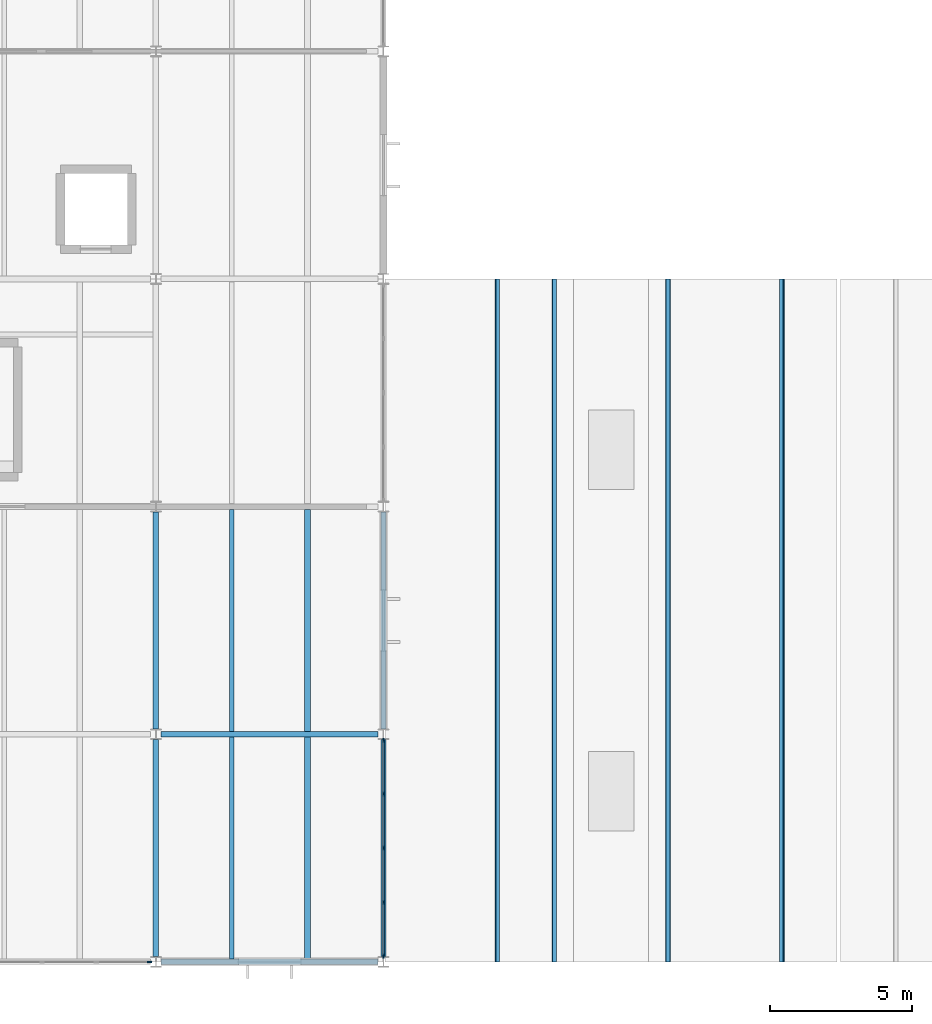
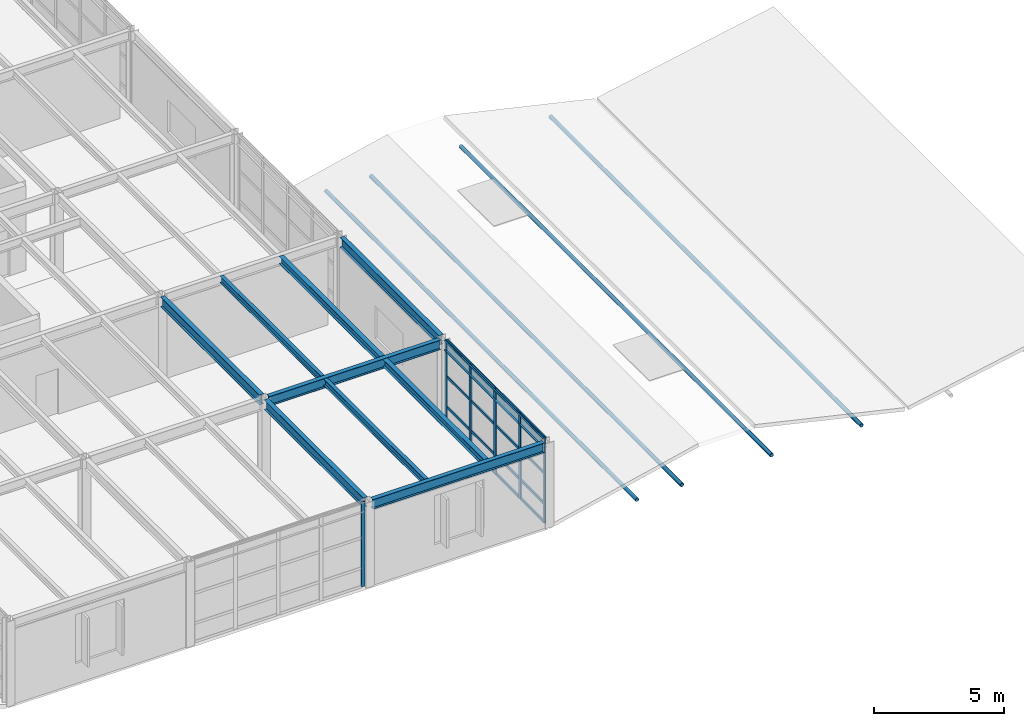
# One storey, part 27 of 50: 26 members, 10 beams, 2 elements without a shape of their own.
"""IFC4 building model written with IfcOpenShell, lengths in metres."""

from ifc_helpers import new_model, si_unit, direction, frame, origin, origin_2d, place, context, subcontext, project, spatial, rectangle, hollow_circle, i_section, extrude, material, layer, layer_set, material_profile, profile_set, type_object, element, aggregate, save


model = new_model("IFC4")

# Units and contexts
model_context = context("Model", 3, precision=1e-05, world=origin(), true_north=direction((0.0, 1.0)))
body_context = subcontext(model_context, "Body", "Model", "MODEL_VIEW")
ifc_project = project(units=[si_unit("LENGTHUNIT", "METRE"), si_unit("AREAUNIT", "SQUARE_METRE"), si_unit("VOLUMEUNIT", "CUBIC_METRE"), si_unit("PLANEANGLEUNIT", "RADIAN"), si_unit("MASSUNIT", "GRAM", prefix="KILO")], contexts=[model_context])

# Site, building, storey
site_placement = place(None, origin())
site = spatial("IfcSite", under=ifc_project, at=site_placement, CompositionType="ELEMENT")
building_placement = place(site_placement, origin())
building = spatial("IfcBuilding", under=site, at=building_placement, Name="Varnela Railside Interchange", CompositionType="ELEMENT")
storey_placement = place(building_placement, frame((0.0, 0.0, 15.39990234375)))
storey = spatial("IfcBuildingStorey", under=building, at=storey_placement, Name="L03", CompositionType="ELEMENT", Elevation=15.39990234375)

# Beams
ifc_material_1 = material(Name="Steel AR 350 (350 MPa)", Category="steel")
ifc_material_profile_1 = material_profile(ifc_material_1, i_section(OverallWidth=0.1650390625, OverallDepth=0.31005859375, WebThickness=0.005859375, FlangeThickness=0.009765625, at=origin_2d()), Name="W310x38.7")
ifc_profile_set_1 = profile_set([ifc_material_profile_1], Name="Steel AR 350 (350 MPa)")
beam_type_1 = type_object("IfcBeamType", Name="Composite Floor Joist J-04", PredefinedType="JOIST", material=ifc_profile_set_1)
for number, where, z_axis, x_axis, name in (
    (1, (134.669921875, 38.1044921875, 3.84521484375), (0.0, 1.0, 0.0), (-1.0, 0.0, 0.0), "Composite Floor Joist J-04 (L03) (BM-2157)"),
    (2, (134.669921875, 46.1044921875, 3.84521484375), (0.0, 1.0, 0.0), (-1.0, 0.0, 0.0), "Composite Floor Joist J-04 (L03) (BM-2159)"),
):
    element("IfcBeam", number, at=place(storey_placement, frame(where, z_axis=z_axis, x_axis=x_axis)), inside=storey, type_object=beam_type_1, Name=name, PredefinedType="JOIST", context=body_context, shape_type="SweptSolid", body=[
        extrude(i_section(OverallWidth=0.1650390625, OverallDepth=0.31005859375, WebThickness=0.005859375, FlangeThickness=0.009765625, at=origin_2d()), origin(), (0.0, 0.0, 1.0), 7.791015625),
    ])
ifc_material_profile_2 = material_profile(ifc_material_1, i_section(OverallWidth=0.202880859375, OverallDepth=0.346923828125, WebThickness=0.0078125, FlangeThickness=0.013427734375, at=origin_2d()), Name="W360x64")
ifc_profile_set_2 = profile_set([ifc_material_profile_2], Name="Steel AR 350 (350 MPa)")
beam_type_2 = type_object("IfcBeamType", Name="Composite Heavy Joist J-01", PredefinedType="JOIST", material=ifc_profile_set_2)
for number, where, z_axis, x_axis, name in (
    (3, (137.330078125, 38.1044921875, 3.82666015625), (0.0, 1.0, 0.0), (-1.0, 0.0, 0.0), "Composite Heavy Joist J-01 (L03) (BM-2158)"),
    (4, (137.330078125, 46.1044921875, 3.82666015625), (0.0, 1.0, 0.0), (-1.0, 0.0, 0.0), "Composite Heavy Joist J-01 (L03) (BM-2160)"),
):
    element("IfcBeam", number, at=place(storey_placement, frame(where, z_axis=z_axis, x_axis=x_axis)), inside=storey, type_object=beam_type_2, Name=name, PredefinedType="JOIST", context=body_context, shape_type="SweptSolid", body=[
        extrude(i_section(OverallWidth=0.202880859375, OverallDepth=0.346923828125, WebThickness=0.0078125, FlangeThickness=0.013427734375, at=origin_2d()), origin(), (0.0, 0.0, 1.0), 7.791015625),
    ])
ifc_material_profile_3 = material_profile(ifc_material_1, i_section(OverallWidth=0.194091796875, OverallDepth=0.468994140625, WebThickness=0.0126953125, FlangeThickness=0.0205078125, at=origin_2d()), Name="W460x106")
ifc_profile_set_3 = profile_set([ifc_material_profile_3], Name="Steel AR 350 (350 MPa)")
beam_type_3 = type_object("IfcBeamType", Name="Composite Primary Beam B-19", PredefinedType="BEAM", material=ifc_profile_set_3)
beam_placement = place(storey_placement, frame((132.0, 46.18408203125, 3.765625), z_axis=(0.0, 1.0, 0.0), x_axis=(-1.0, 0.0, 0.0)))
element("IfcBeam", 5, at=beam_placement, inside=storey, type_object=beam_type_3, Name="Composite Primary Beam B-19 (L03) (BM-2290)", PredefinedType="BEAM", context=body_context, shape_type="SweptSolid", body=[
    extrude(i_section(OverallWidth=0.194091796875, OverallDepth=0.468994140625, WebThickness=0.0126953125, FlangeThickness=0.0205078125, at=origin_2d()), origin(), (0.0, 0.0, 1.0), 7.6318359375),
])

# Curtain wall, member
ifc_material_2 = material(Name="Aluminium 6063-T6", Category="aluminium")
ifc_layer = layer(ifc_material_2, 0.035888671875)
ifc_layer_set = layer_set([ifc_layer], Name="Aluminium 6063-T6")
curtain_wall_type = type_object("IfcCurtainWallType", Name="Study Pavilion Gallery Curtain Wall CW-02", PredefinedType="USERDEFINED", material=ifc_layer_set)
curtain_wall_1_placement = place(storey_placement, origin())
curtain_wall_1 = element("IfcCurtainWall", 6, at=curtain_wall_1_placement, inside=storey, type_object=curtain_wall_type, Name="Curtain Wall CW-02 (L03) (CW-088)", ObjectType="CURTAIN WALL", PredefinedType="USERDEFINED")
ifc_material_profile_4 = material_profile(ifc_material_2, rectangle(XDim=0.06005859375, YDim=0.159912109375, at=origin_2d()), Name="ALU 60x160")
ifc_profile_set_4 = profile_set([ifc_material_profile_4], Name="Aluminium 6063-T6")
member_type_1 = type_object("IfcMemberType", Name="Curtain Wall Mullion ML-02", PredefinedType="MULLION", material=ifc_profile_set_4)
member_1_placement = place(storey_placement, frame((131.783447265625, 38.0, 0.0), z_axis=(0.0, 0.0, 1.0), x_axis=(0.0, -1.0, 0.0)))
member_1 = element("IfcMember", 7, at=member_1_placement, type_object=member_type_1, Name="CW-02 mullion 1", PredefinedType="MULLION", context=body_context, shape_type="SweptSolid", body=[
    extrude(rectangle(XDim=0.06005859375, YDim=0.159912109375, at=origin_2d()), origin(), (0.0, 0.0, 1.0), 4.0),
])
aggregate(curtain_wall_1, [member_1])

# Curtain wall, members
curtain_wall_2_placement = place(storey_placement, origin())
curtain_wall_2 = element("IfcCurtainWall", 8, at=curtain_wall_2_placement, inside=storey, type_object=curtain_wall_type, Name="Curtain Wall CW-02 (L03) (CW-098)", ObjectType="CURTAIN WALL", PredefinedType="USERDEFINED")
member_2_placement = place(storey_placement, frame((140.0, 45.785888671875, 0.0), z_axis=(0.0, 0.0, 1.0), x_axis=(1.0, 0.0, 0.0)))
member_2 = element("IfcMember", 9, at=member_2_placement, type_object=member_type_1, Name="CW-02 mullion 1", PredefinedType="MULLION", context=body_context, shape_type="SweptSolid", body=[
    extrude(rectangle(XDim=0.06005859375, YDim=0.159912109375, at=origin_2d()), origin(), (0.0, 0.0, 1.0), 4.0),
])
member_3_placement = place(storey_placement, frame((140.0, 43.907958984375, 0.0), z_axis=(0.0, 0.0, 1.0), x_axis=(1.0, 0.0, 0.0)))
member_3 = element("IfcMember", 10, at=member_3_placement, type_object=member_type_1, Name="CW-02 mullion 2", PredefinedType="MULLION", context=body_context, shape_type="SweptSolid", body=[
    extrude(rectangle(XDim=0.06005859375, YDim=0.159912109375, at=origin_2d()), origin(), (0.0, 0.0, 1.0), 4.0),
])
member_4_placement = place(storey_placement, frame((140.0, 42.0, 0.0), z_axis=(0.0, 0.0, 1.0), x_axis=(1.0, 0.0, 0.0)))
member_4 = element("IfcMember", 11, at=member_4_placement, type_object=member_type_1, Name="CW-02 mullion 3", PredefinedType="MULLION", context=body_context, shape_type="SweptSolid", body=[
    extrude(rectangle(XDim=0.06005859375, YDim=0.159912109375, at=origin_2d()), origin(), (0.0, 0.0, 1.0), 4.0),
])
member_5_placement = place(storey_placement, frame((140.0, 40.092041015625, 0.0), z_axis=(0.0, 0.0, 1.0), x_axis=(1.0, 0.0, 0.0)))
member_5 = element("IfcMember", 12, at=member_5_placement, type_object=member_type_1, Name="CW-02 mullion 4", PredefinedType="MULLION", context=body_context, shape_type="SweptSolid", body=[
    extrude(rectangle(XDim=0.06005859375, YDim=0.159912109375, at=origin_2d()), origin(), (0.0, 0.0, 1.0), 4.0),
])
member_6_placement = place(storey_placement, frame((140.0, 38.214111328125, 0.0), z_axis=(0.0, 0.0, 1.0), x_axis=(1.0, 0.0, 0.0)))
member_6 = element("IfcMember", 13, at=member_6_placement, type_object=member_type_1, Name="CW-02 mullion 5", PredefinedType="MULLION", context=body_context, shape_type="SweptSolid", body=[
    extrude(rectangle(XDim=0.06005859375, YDim=0.159912109375, at=origin_2d()), origin(), (0.0, 0.0, 1.0), 4.0),
])
ifc_material_profile_5 = material_profile(ifc_material_2, rectangle(XDim=0.06005859375, YDim=0.1201171875, at=origin_2d()), Name="ALU 60x120")
ifc_profile_set_5 = profile_set([ifc_material_profile_5], Name="Aluminium 6063-T6")
member_type_2 = type_object("IfcMemberType", Name="Curtain Wall Transom TR-02", PredefinedType="USERDEFINED", material=ifc_profile_set_5)
member_7_placement = place(storey_placement, frame((140.0, 45.756103515625, 0.030029296875), z_axis=(0.0, -1.0, 0.0), x_axis=(1.0, 0.0, 0.0)))
member_7 = element("IfcMember", 14, at=member_7_placement, type_object=member_type_2, Name="CW-02 transom 1.1", ObjectType="TRANSOM", PredefinedType="USERDEFINED", context=body_context, shape_type="SweptSolid", body=[
    extrude(rectangle(XDim=0.06005859375, YDim=0.1201171875, at=origin_2d()), origin(), (0.0, 0.0, 1.0), 1.818115234375),
])
member_8_placement = place(storey_placement, frame((140.0, 45.756103515625, 0.900146484375), z_axis=(0.0, -1.0, 0.0), x_axis=(1.0, 0.0, 0.0)))
member_8 = element("IfcMember", 15, at=member_8_placement, type_object=member_type_2, Name="CW-02 transom 1.2", ObjectType="TRANSOM", PredefinedType="USERDEFINED", context=body_context, shape_type="SweptSolid", body=[
    extrude(rectangle(XDim=0.06005859375, YDim=0.1201171875, at=origin_2d()), origin(), (0.0, 0.0, 1.0), 1.818115234375),
])
member_9_placement = place(storey_placement, frame((140.0, 45.756103515625, 2.320068359375), z_axis=(0.0, -1.0, 0.0), x_axis=(1.0, 0.0, 0.0)))
member_9 = element("IfcMember", 16, at=member_9_placement, type_object=member_type_2, Name="CW-02 transom 1.3", ObjectType="TRANSOM", PredefinedType="USERDEFINED", context=body_context, shape_type="SweptSolid", body=[
    extrude(rectangle(XDim=0.06005859375, YDim=0.1201171875, at=origin_2d()), origin(), (0.0, 0.0, 1.0), 1.818115234375),
])
member_10_placement = place(storey_placement, frame((140.0, 45.756103515625, 3.97021484375), z_axis=(0.0, -1.0, 0.0), x_axis=(1.0, 0.0, 0.0)))
member_10 = element("IfcMember", 17, at=member_10_placement, type_object=member_type_2, Name="CW-02 transom 1.4", ObjectType="TRANSOM", PredefinedType="USERDEFINED", context=body_context, shape_type="SweptSolid", body=[
    extrude(rectangle(XDim=0.06005859375, YDim=0.1201171875, at=origin_2d()), origin(), (0.0, 0.0, 1.0), 1.818115234375),
])
member_11_placement = place(storey_placement, frame((140.0, 43.8779296875, 0.030029296875), z_axis=(0.0, -1.0, 0.0), x_axis=(1.0, 0.0, 0.0)))
member_11 = element("IfcMember", 18, at=member_11_placement, type_object=member_type_2, Name="CW-02 transom 2.1", ObjectType="TRANSOM", PredefinedType="USERDEFINED", context=body_context, shape_type="SweptSolid", body=[
    extrude(rectangle(XDim=0.06005859375, YDim=0.1201171875, at=origin_2d()), origin(), (0.0, 0.0, 1.0), 1.847900390625),
])
member_12_placement = place(storey_placement, frame((140.0, 43.8779296875, 0.900146484375), z_axis=(0.0, -1.0, 0.0), x_axis=(1.0, 0.0, 0.0)))
member_12 = element("IfcMember", 19, at=member_12_placement, type_object=member_type_2, Name="CW-02 transom 2.2", ObjectType="TRANSOM", PredefinedType="USERDEFINED", context=body_context, shape_type="SweptSolid", body=[
    extrude(rectangle(XDim=0.06005859375, YDim=0.1201171875, at=origin_2d()), origin(), (0.0, 0.0, 1.0), 1.847900390625),
])
member_13_placement = place(storey_placement, frame((140.0, 43.8779296875, 2.320068359375), z_axis=(0.0, -1.0, 0.0), x_axis=(1.0, 0.0, 0.0)))
member_13 = element("IfcMember", 20, at=member_13_placement, type_object=member_type_2, Name="CW-02 transom 2.3", ObjectType="TRANSOM", PredefinedType="USERDEFINED", context=body_context, shape_type="SweptSolid", body=[
    extrude(rectangle(XDim=0.06005859375, YDim=0.1201171875, at=origin_2d()), origin(), (0.0, 0.0, 1.0), 1.847900390625),
])
member_14_placement = place(storey_placement, frame((140.0, 43.8779296875, 3.97021484375), z_axis=(0.0, -1.0, 0.0), x_axis=(1.0, 0.0, 0.0)))
member_14 = element("IfcMember", 21, at=member_14_placement, type_object=member_type_2, Name="CW-02 transom 2.4", ObjectType="TRANSOM", PredefinedType="USERDEFINED", context=body_context, shape_type="SweptSolid", body=[
    extrude(rectangle(XDim=0.06005859375, YDim=0.1201171875, at=origin_2d()), origin(), (0.0, 0.0, 1.0), 1.847900390625),
])
member_15_placement = place(storey_placement, frame((140.0, 41.969970703125, 0.030029296875), z_axis=(0.0, -1.0, 0.0), x_axis=(1.0, 0.0, 0.0)))
member_15 = element("IfcMember", 22, at=member_15_placement, type_object=member_type_2, Name="CW-02 transom 3.1", ObjectType="TRANSOM", PredefinedType="USERDEFINED", context=body_context, shape_type="SweptSolid", body=[
    extrude(rectangle(XDim=0.06005859375, YDim=0.1201171875, at=origin_2d()), origin(), (0.0, 0.0, 1.0), 1.847900390625),
])
member_16_placement = place(storey_placement, frame((140.0, 41.969970703125, 0.900146484375), z_axis=(0.0, -1.0, 0.0), x_axis=(1.0, 0.0, 0.0)))
member_16 = element("IfcMember", 23, at=member_16_placement, type_object=member_type_2, Name="CW-02 transom 3.2", ObjectType="TRANSOM", PredefinedType="USERDEFINED", context=body_context, shape_type="SweptSolid", body=[
    extrude(rectangle(XDim=0.06005859375, YDim=0.1201171875, at=origin_2d()), origin(), (0.0, 0.0, 1.0), 1.847900390625),
])
member_17_placement = place(storey_placement, frame((140.0, 41.969970703125, 2.320068359375), z_axis=(0.0, -1.0, 0.0), x_axis=(1.0, 0.0, 0.0)))
member_17 = element("IfcMember", 24, at=member_17_placement, type_object=member_type_2, Name="CW-02 transom 3.3", ObjectType="TRANSOM", PredefinedType="USERDEFINED", context=body_context, shape_type="SweptSolid", body=[
    extrude(rectangle(XDim=0.06005859375, YDim=0.1201171875, at=origin_2d()), origin(), (0.0, 0.0, 1.0), 1.847900390625),
])
member_18_placement = place(storey_placement, frame((140.0, 41.969970703125, 3.97021484375), z_axis=(0.0, -1.0, 0.0), x_axis=(1.0, 0.0, 0.0)))
member_18 = element("IfcMember", 25, at=member_18_placement, type_object=member_type_2, Name="CW-02 transom 3.4", ObjectType="TRANSOM", PredefinedType="USERDEFINED", context=body_context, shape_type="SweptSolid", body=[
    extrude(rectangle(XDim=0.06005859375, YDim=0.1201171875, at=origin_2d()), origin(), (0.0, 0.0, 1.0), 1.847900390625),
])
member_19_placement = place(storey_placement, frame((140.0, 40.06201171875, 0.030029296875), z_axis=(0.0, -1.0, 0.0), x_axis=(1.0, 0.0, 0.0)))
member_19 = element("IfcMember", 26, at=member_19_placement, type_object=member_type_2, Name="CW-02 transom 4.1", ObjectType="TRANSOM", PredefinedType="USERDEFINED", context=body_context, shape_type="SweptSolid", body=[
    extrude(rectangle(XDim=0.06005859375, YDim=0.1201171875, at=origin_2d()), origin(), (0.0, 0.0, 1.0), 1.818115234375),
])
member_20_placement = place(storey_placement, frame((140.0, 40.06201171875, 0.900146484375), z_axis=(0.0, -1.0, 0.0), x_axis=(1.0, 0.0, 0.0)))
member_20 = element("IfcMember", 27, at=member_20_placement, type_object=member_type_2, Name="CW-02 transom 4.2", ObjectType="TRANSOM", PredefinedType="USERDEFINED", context=body_context, shape_type="SweptSolid", body=[
    extrude(rectangle(XDim=0.06005859375, YDim=0.1201171875, at=origin_2d()), origin(), (0.0, 0.0, 1.0), 1.818115234375),
])
member_21_placement = place(storey_placement, frame((140.0, 40.06201171875, 2.320068359375), z_axis=(0.0, -1.0, 0.0), x_axis=(1.0, 0.0, 0.0)))
member_21 = element("IfcMember", 28, at=member_21_placement, type_object=member_type_2, Name="CW-02 transom 4.3", ObjectType="TRANSOM", PredefinedType="USERDEFINED", context=body_context, shape_type="SweptSolid", body=[
    extrude(rectangle(XDim=0.06005859375, YDim=0.1201171875, at=origin_2d()), origin(), (0.0, 0.0, 1.0), 1.818115234375),
])
member_22_placement = place(storey_placement, frame((140.0, 40.06201171875, 3.97021484375), z_axis=(0.0, -1.0, 0.0), x_axis=(1.0, 0.0, 0.0)))
member_22 = element("IfcMember", 29, at=member_22_placement, type_object=member_type_2, Name="CW-02 transom 4.4", ObjectType="TRANSOM", PredefinedType="USERDEFINED", context=body_context, shape_type="SweptSolid", body=[
    extrude(rectangle(XDim=0.06005859375, YDim=0.1201171875, at=origin_2d()), origin(), (0.0, 0.0, 1.0), 1.818115234375),
])
aggregate(curtain_wall_2, [member_2, member_3, member_4, member_5, member_6, member_7, member_8, member_9, member_10, member_11, member_12, member_13, member_14, member_15, member_16, member_17, member_18, member_19, member_20, member_21, member_22])

# Members
ifc_material_profile_6 = material_profile(ifc_material_1, hollow_circle(Radius=0.084228515625, WallThickness=0.010009765625, at=origin_2d()), Name="CHS 168.3x10")
ifc_profile_set_6 = profile_set([ifc_material_profile_6], Name="Steel AR 350 (350 MPa)")
member_type_3 = type_object("IfcMemberType", Name="Skylight Truss Chord BR-14", PredefinedType="PURLIN", material=ifc_profile_set_6)
for number, where, z_axis, x_axis, name in (
    (30, (144.0, 38.0, -0.199951171875), (0.0, 1.0, 0.0), (-1.0, 0.0, 0.0), "Skylight Truss Chord BR-14 (L03) (MB-0140)"),
    (31, (146.0, 38.0, -0.199951171875), (0.0, 1.0, 0.0), (-1.0, 0.0, 0.0), "Skylight Truss Chord BR-14 (L03) (MB-0141)"),
    (32, (150.0, 38.0, -0.199951171875), (0.0, 1.0, 0.0), (-1.0, 0.0, 0.0), "Skylight Truss Chord BR-14 (L03) (MB-0142)"),
    (33, (154.0, 38.0, -0.199951171875), (0.0, 1.0, 0.0), (-1.0, 0.0, 0.0), "Skylight Truss Chord BR-14 (L03) (MB-0143)"),
):
    element("IfcMember", number, at=place(storey_placement, frame(where, z_axis=z_axis, x_axis=x_axis)), inside=storey, type_object=member_type_3, Name=name, PredefinedType="PURLIN", context=body_context, shape_type="SweptSolid", body=[
        extrude(hollow_circle(Radius=0.084228515625, WallThickness=0.010009765625, at=origin_2d()), origin(), (0.0, 0.0, 1.0), 24.0),
    ])

# Beams
ifc_material_profile_7 = material_profile(ifc_material_1, i_section(OverallWidth=0.19091796875, OverallDepth=0.4599609375, WebThickness=0.010009765625, FlangeThickness=0.01611328125, at=origin_2d()), Name="W460x82")
ifc_profile_set_7 = profile_set([ifc_material_profile_7], Name="Steel AR 350 (350 MPa)")
beam_type_4 = type_object("IfcBeamType", Name="Steel Perimeter Spandrel SP-01", PredefinedType="SPANDREL", material=ifc_profile_set_7)
for number, where, z_axis, x_axis, name in (
    (34, (132.1865234375, 38.0, 3.77001953125), (1.0, 0.0, 0.0), (0.0, 1.0, 0.0), "Steel Perimeter Spandrel SP-01 (L03) (BM-2216)"),
    (35, (132.1865234375, 46.0, 3.77001953125), (1.0, 0.0, 0.0), (0.0, 1.0, 0.0), "Steel Perimeter Spandrel SP-01 (L03) (BM-2225)"),
):
    element("IfcBeam", number, at=place(storey_placement, frame(where, z_axis=z_axis, x_axis=x_axis)), inside=storey, type_object=beam_type_4, Name=name, PredefinedType="SPANDREL", context=body_context, shape_type="SweptSolid", body=[
        extrude(i_section(OverallWidth=0.19091796875, OverallDepth=0.4599609375, WebThickness=0.010009765625, FlangeThickness=0.01611328125, at=origin_2d()), origin(), (0.0, 0.0, 1.0), 7.626953125),
    ])
for number, where, z_axis, x_axis, name in (
    (36, (132.0, 38.18408203125, 3.77001953125), (0.0, 1.0, 0.0), (-1.0, 0.0, 0.0), "Steel Perimeter Spandrel SP-01 (L03) (BM-2289)"),
    (37, (140.0, 38.18408203125, 3.77001953125), (0.0, 1.0, 0.0), (-1.0, 0.0, 0.0), "Steel Perimeter Spandrel SP-01 (L03) (BM-2295)"),
    (38, (140.0, 46.18408203125, 3.77001953125), (0.0, 1.0, 0.0), (-1.0, 0.0, 0.0), "Steel Perimeter Spandrel SP-01 (L03) (BM-2296)"),
):
    element("IfcBeam", number, at=place(storey_placement, frame(where, z_axis=z_axis, x_axis=x_axis)), inside=storey, type_object=beam_type_4, Name=name, PredefinedType="SPANDREL", context=body_context, shape_type="SweptSolid", body=[
        extrude(i_section(OverallWidth=0.19091796875, OverallDepth=0.4599609375, WebThickness=0.010009765625, FlangeThickness=0.01611328125, at=origin_2d()), origin(), (0.0, 0.0, 1.0), 7.6318359375),
    ])

save(model, "model.ifc")
